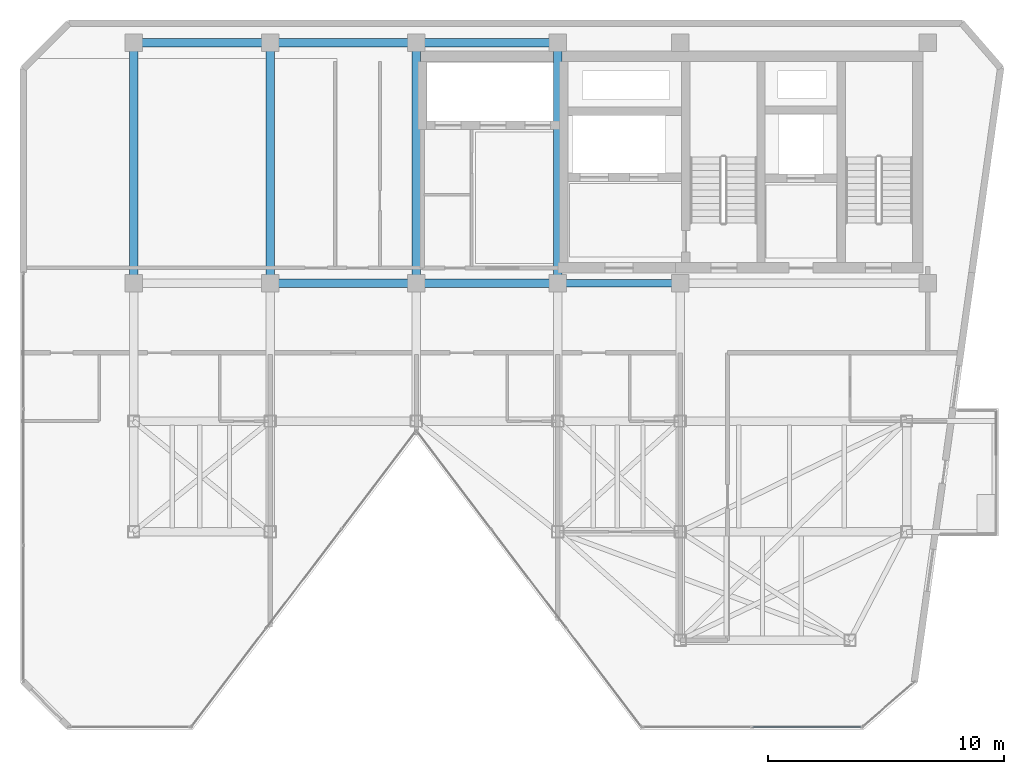
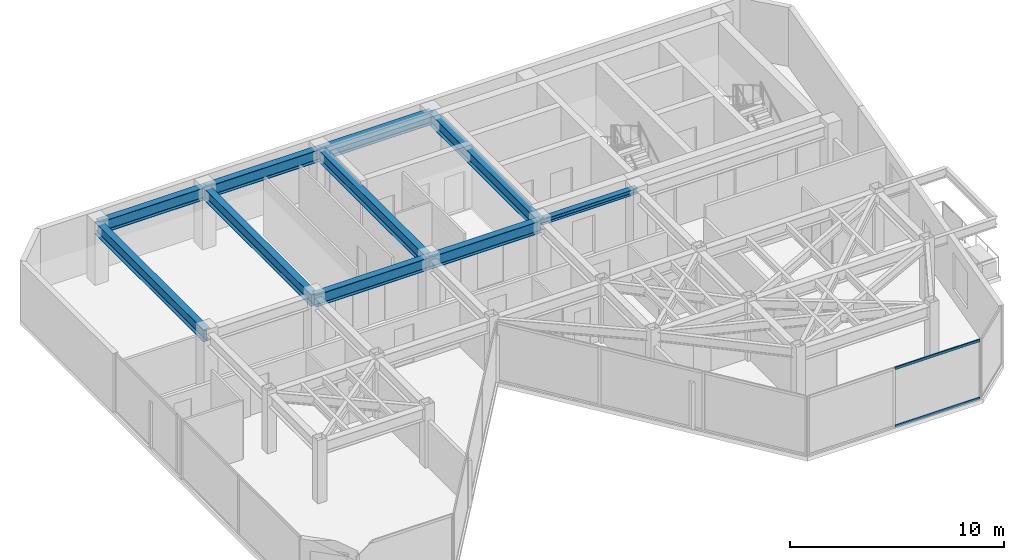
# One storey, part 12 of 19: 10 beams, 2 members, 1 element without a shape of its own.
"""IFC4 building model written with IfcOpenShell, lengths in metres."""

import ifcopenshell
import ifcopenshell.guid

model = None  # the IFC model being written
_history = None  # IfcOwnerHistory: only IFC2X3 demands one
_inside = {}  # id of a spatial element -> (the spatial element, [elements in it])
_under = {}  # id of a project, library or spatial element -> (it, [spatial elements below it])
_declared = {}  # id of a project -> (the project, [libraries it declares])
_typed = {}  # id of a type object -> (the type object, [elements of that type])
_made_of = {}  # id of a material, layer set ... -> (it, [elements and type objects made of it])


def new_model(schema):
    """Start an empty IFC model of exactly this schema.

    Asked for "IFC4X3", IfcOpenShell would pick the latest addendum, in which some entities
    have other attributes; the version numbers below select the first issue.
    IFC2X3 requires an IfcOwnerHistory on every rooted entity: one is made here for all.
    """
    global model, _history
    if schema == "IFC4X3":
        model = ifcopenshell.file(schema_version=(4, 3, 0, 0))
    else:
        model = ifcopenshell.file(schema=schema)
    _inside.clear()
    _under.clear()
    _declared.clear()
    _typed.clear()
    _made_of.clear()
    _history = None
    if model.schema == "IFC2X3":
        org = make("IfcOrganization", Name="unknown")
        user = make(
            "IfcPersonAndOrganization",
            ThePerson=make("IfcPerson", FamilyName="unknown"),
            TheOrganization=org,
        )
        app = make(
            "IfcApplication",
            ApplicationDeveloper=org,
            Version="unknown",
            ApplicationFullName="unknown",
            ApplicationIdentifier="unknown",
        )
        _history = make(
            "IfcOwnerHistory",
            OwningUser=user,
            OwningApplication=app,
            ChangeAction="ADDED",
            CreationDate=0,
        )
    return model


def make(cls, **values):
    """One entity of the class cls with the attributes given. An attribute that is None is left unset."""
    return model.create_entity(
        cls, **{name: value for name, value in values.items() if value is not None}
    )


def rooted(cls, **values):
    """An entity with a GlobalId (a new one), such as an element, a storey or a relation."""
    return make(cls, GlobalId=ifcopenshell.guid.new(), OwnerHistory=_history, **values)


def si_unit(unit_type, name, prefix=None):
    """IfcSIUnit, for example si_unit("LENGTHUNIT", "METRE", prefix="MILLI")."""
    return make("IfcSIUnit", UnitType=unit_type, Prefix=prefix, Name=name)


def assignment(units):
    """IfcUnitAssignment: the units of a project."""
    return None if units is None else make("IfcUnitAssignment", Units=units)


def point(xyz):
    """IfcCartesianPoint."""
    return None if xyz is None else make("IfcCartesianPoint", Coordinates=xyz)


def direction(xyz):
    """IfcDirection."""
    return None if xyz is None else make("IfcDirection", DirectionRatios=xyz)


def frame(location, z_axis=None, x_axis=None):
    """IfcAxis2Placement3D, a coordinate frame: its origin and axes. An axis left out is left unset."""
    return make(
        "IfcAxis2Placement3D",
        Location=point(location),
        Axis=direction(z_axis),
        RefDirection=direction(x_axis),
    )


def frame_2d(location, x_axis=None):
    """IfcAxis2Placement2D, a coordinate frame in the plane: its origin and x axis."""
    return make(
        "IfcAxis2Placement2D", Location=point(location), RefDirection=direction(x_axis)
    )


def origin():
    """The frame at (0, 0, 0) with its axes left unset."""
    return frame((0.0, 0.0, 0.0))


def origin_2d():
    """The frame at (0, 0) in the plane with its x axis left unset."""
    return frame_2d((0.0, 0.0))


def place(relative_to, where):
    """IfcLocalPlacement: puts the frame where relative to a parent placement (None: the world)."""
    return make(
        "IfcLocalPlacement", PlacementRelTo=relative_to, RelativePlacement=where
    )


def context(
    kind, dimensions, precision=None, world=None, true_north=None, identifier=None
):
    """IfcGeometricRepresentationContext, for example the 3D "Model" context."""
    return make(
        "IfcGeometricRepresentationContext",
        ContextIdentifier=identifier,
        ContextType=kind,
        CoordinateSpaceDimension=dimensions,
        Precision=precision,
        WorldCoordinateSystem=world,
        TrueNorth=true_north,
    )


def subcontext(parent, identifier, kind, view, scale=None):
    """IfcGeometricRepresentationSubContext, for example "Body" below "Model"."""
    return make(
        "IfcGeometricRepresentationSubContext",
        ContextIdentifier=identifier,
        ContextType=kind,
        ParentContext=parent,
        TargetScale=scale,
        TargetView=view,
    )


def project(units=None, contexts=None):
    """IfcProject with its units and contexts."""
    return rooted(
        "IfcProject",
        Name="project",
        RepresentationContexts=contexts,
        UnitsInContext=assignment(units),
    )


def spatial(cls, under=None, at=None, **own):
    """A site, building, storey or space (cls), placed at a placement, below another one or the project."""
    s = rooted(cls, ObjectPlacement=at, **own)
    if under is not None:
        _under.setdefault(under.id(), (under, []))[1].append(s)
    return s


def profile(cls, at=None, kind="AREA", **sizes):
    """A parametric profile (cls). Its sizes go by their IFC names, for example OverallWidth=200.0."""
    return make(cls, ProfileType=kind, Position=at, **sizes)


def hollow_rectangle(**sizes):
    """IfcRectangleHollowProfileDef."""
    return profile("IfcRectangleHollowProfileDef", **sizes)


def i_section(**sizes):
    """IfcIShapeProfileDef."""
    return profile("IfcIShapeProfileDef", **sizes)


def extrude(swept, where, along, depth):
    """IfcExtrudedAreaSolid: the profile swept, set in the frame where, extruded along a direction by depth."""
    return make(
        "IfcExtrudedAreaSolid",
        SweptArea=swept,
        Position=where,
        ExtrudedDirection=direction(along),
        Depth=depth,
    )


def shape(context_of_items, identifier, shape_type, items):
    """IfcShapeRepresentation: the items that make up one representation, for example the "Body"."""
    return make(
        "IfcShapeRepresentation",
        ContextOfItems=context_of_items,
        RepresentationIdentifier=identifier,
        RepresentationType=shape_type,
        Items=items,
    )


def material(Name=None, Category=None):
    """IfcMaterial."""
    return make("IfcMaterial", Name=Name, Category=Category)


def layer(
    of_material, thickness, ventilated=None, Name=None, Category=None, Priority=None
):
    """IfcMaterialLayer: one layer of a wall or slab, of a material (None: an air gap)."""
    return make(
        "IfcMaterialLayer",
        Material=of_material,
        LayerThickness=thickness,
        IsVentilated=ventilated,
        Name=Name,
        Category=Category,
        Priority=Priority,
    )


def layer_set(layers, Name=None):
    """IfcMaterialLayerSet."""
    return make("IfcMaterialLayerSet", MaterialLayers=layers, LayerSetName=Name)


def material_profile(
    of_material, cross_section, Name=None, Category=None, Priority=None
):
    """IfcMaterialProfile: a cross section and its material."""
    return make(
        "IfcMaterialProfile",
        Name=Name,
        Material=of_material,
        Profile=cross_section,
        Priority=Priority,
        Category=Category,
    )


def profile_set(profiles, Name=None, composite=None):
    """IfcMaterialProfileSet."""
    return make(
        "IfcMaterialProfileSet",
        Name=Name,
        MaterialProfiles=profiles,
        CompositeProfile=composite,
    )


def made_of(thing, what):
    """Note that an element or type object is made of a material, layer set ...; save() writes the relation."""
    if what is not None:
        _made_of.setdefault(what.id(), (what, []))[1].append(thing)
    return thing


def type_object(cls, material=None, **own):
    """A type object (cls), such as IfcWallType, which elements share."""
    return made_of(rooted(cls, **own), material)


def element(
    cls,
    number,
    at=None,
    inside=None,
    cuts=None,
    type_object=None,
    material=None,
    context=None,
    identifier="Body",
    shape_type=None,
    held_by="IfcProductDefinitionShape",
    body=None,
    shapes=None,
    **own,
):
    """One element of the class cls, such as IfcWall. Its Tag is "e" and its number.

    at: its placement. inside: the storey or other place that contains it. cuts: it is an
    opening in that element (IfcRelVoidsElement). A single representation is given by context,
    identifier, shape_type and body (its items); several are given by shapes. held_by: the class
    of the entity that holds the representations. save() writes the other relations.
    """
    e = rooted(cls, Tag="e%d" % number, ObjectPlacement=at, **own)
    if body is not None:
        shapes = [shape(context, identifier, shape_type, body)]
    if shapes is not None:
        e.Representation = make(held_by, Representations=shapes)
    if inside is not None:
        _inside.setdefault(inside.id(), (inside, []))[1].append(e)
    if cuts is not None:
        rooted(
            "IfcRelVoidsElement", RelatingBuildingElement=cuts, RelatedOpeningElement=e
        )
    if type_object is not None:
        _typed.setdefault(type_object.id(), (type_object, []))[1].append(e)
    return made_of(e, material)


def aggregate(whole, parts):
    """IfcRelAggregates: a whole, such as a stair, and the parts it consists of."""
    return rooted("IfcRelAggregates", RelatingObject=whole, RelatedObjects=parts)


def save(model, path):
    """Write the relations noted so far, then the file.

    IfcRelAggregates (storeys below a building ...), IfcRelContainedInSpatialStructure (elements
    in a storey), IfcRelDefinesByType, IfcRelAssociatesMaterial and IfcRelDeclares: one each for
    every whole, place, type object, material and project.
    """
    for whole, parts in _under.values():
        aggregate(whole, parts)
    for where, things in _inside.values():
        rooted(
            "IfcRelContainedInSpatialStructure",
            RelatedElements=things,
            RelatingStructure=where,
        )
    for kind, things in _typed.values():
        rooted("IfcRelDefinesByType", RelatedObjects=things, RelatingType=kind)
    for what, things in _made_of.values():
        rooted("IfcRelAssociatesMaterial", RelatedObjects=things, RelatingMaterial=what)
    for by, libraries in _declared.values():
        rooted("IfcRelDeclares", RelatingContext=by, RelatedDefinitions=libraries)
    model.write(path)


model = new_model("IFC4")

# Units and contexts
model_context = context("Model", 3, precision=1e-05, world=origin(), true_north=direction((0.0, 1.0)))
body_context = subcontext(model_context, "Body", "Model", "MODEL_VIEW")
ifc_project = project(units=[si_unit("LENGTHUNIT", "METRE"), si_unit("AREAUNIT", "SQUARE_METRE"), si_unit("VOLUMEUNIT", "CUBIC_METRE"), si_unit("PLANEANGLEUNIT", "RADIAN"), si_unit("MASSUNIT", "GRAM", prefix="KILO")], contexts=[model_context])

# Site, building, storey
site_placement = place(None, origin())
site = spatial("IfcSite", under=ifc_project, at=site_placement, CompositionType="ELEMENT")
building_placement = place(site_placement, origin())
building = spatial("IfcBuilding", under=site, at=building_placement, Name="Kravanh Interchange Tower", CompositionType="ELEMENT")
storey_placement = place(building_placement, frame((0.0, 0.0, 270.60009765625)))
storey = spatial("IfcBuildingStorey", under=building, at=storey_placement, Name="L66", CompositionType="ELEMENT", Elevation=270.60009765625)

# Curtain wall, members
ifc_material_1 = material(Name="Anodised Bronze Aluminium", Category="aluminium")
ifc_layer = layer(ifc_material_1, 0.179931640625)
ifc_layer_set = layer_set([ifc_layer], Name="Unitised Curtain Wall System CW-HTL Luxury Hotel")
curtain_wall_type = type_object("IfcCurtainWallType", Name="Unitised Curtain Wall System CW-HTL Luxury Hotel", PredefinedType="NOTDEFINED", material=ifc_layer_set)
curtain_wall_placement = place(storey_placement, origin())
curtain_wall = element("IfcCurtainWall", 1, at=curtain_wall_placement, inside=storey, type_object=curtain_wall_type, Name="L66 Unitised Curtain Wall CW-L66-03", PredefinedType="NOTDEFINED")
ifc_material_2 = material(Name="Anodised Bronze Aluminium", Category="aluminium")
ifc_material_profile_1 = material_profile(ifc_material_2, hollow_rectangle(XDim=0.06005859375, YDim=0.139892578125, WallThickness=0.00390625, at=origin_2d()), Name="ALU60X140X4")
ifc_profile_set_1 = profile_set([ifc_material_profile_1], Name="Anodised Bronze Aluminium")
member_type = type_object("IfcMemberType", Name="Curtain Wall Transom ALU60X140X4 Bronze", PredefinedType="USERDEFINED", material=ifc_profile_set_1)
member_1_placement = place(storey_placement, frame((63.664794921875, 18.52001953125, 0.02978515625), z_axis=(-1.0, 0.0, 0.0), x_axis=(0.0, -1.0, 0.0)))
member_1 = element("IfcMember", 2, at=member_1_placement, type_object=member_type, Name="CW-HTL transom 1.1", ObjectType="TRANSOM", PredefinedType="USERDEFINED", context=body_context, shape_type="SweptSolid", body=[
    extrude(hollow_rectangle(XDim=0.06005859375, YDim=0.139892578125, WallThickness=0.00390625, at=origin_2d()), origin(), (0.0, 0.0, 1.0), 4.592529296875),
])
member_2_placement = place(storey_placement, frame((63.664794921875, 18.52001953125, 3.329833984375), z_axis=(-1.0, 0.0, 0.0), x_axis=(0.0, -1.0, 0.0)))
member_2 = element("IfcMember", 3, at=member_2_placement, type_object=member_type, Name="CW-HTL transom 1.2", ObjectType="TRANSOM", PredefinedType="USERDEFINED", context=body_context, shape_type="SweptSolid", body=[
    extrude(hollow_rectangle(XDim=0.06005859375, YDim=0.139892578125, WallThickness=0.00390625, at=origin_2d()), origin(), (0.0, 0.0, 1.0), 4.592529296875),
])
aggregate(curtain_wall, [member_1, member_2])

# Beams
ifc_material_3 = material(Name="Structural Steel S355", Category="steel")
ifc_material_profile_2 = material_profile(ifc_material_3, i_section(OverallWidth=0.35498046875, OverallDepth=0.696044921875, WebThickness=0.015380859375, FlangeThickness=0.02490234375, FilletRadius=0.02392578125, at=origin_2d()), Name="W27X146")
ifc_profile_set_2 = profile_set([ifc_material_profile_2], Name="Structural Steel S355")
beam_type_1 = type_object("IfcBeamType", Name="Floor Beam W27X146 Structural Steel S355", PredefinedType="BEAM", material=ifc_profile_set_2)
beam_1_placement = place(storey_placement, frame((50.800048828125, 47.550048828125, 3.011962890625), z_axis=(-1.0, 0.0, 0.0), x_axis=(0.0, -1.0, 0.0)))
element("IfcBeam", 4, at=beam_1_placement, inside=storey, type_object=beam_type_1, Name="L66 Primary Floor Girder 40", PredefinedType="BEAM", context=body_context, shape_type="SweptSolid", body=[
    extrude(i_section(OverallWidth=0.35498046875, OverallDepth=0.696044921875, WebThickness=0.015380859375, FlangeThickness=0.02490234375, FilletRadius=0.02392578125, at=origin_2d()), origin(), (0.0, 0.0, 1.0), 6.0),
])
beam_2_placement = place(storey_placement, frame((50.800048828125, 47.550048828125, 3.011962890625), z_axis=(0.0, -1.0, 0.0), x_axis=(1.0, 0.0, 0.0)))
element("IfcBeam", 5, at=beam_2_placement, inside=storey, type_object=beam_type_1, Name="L66 Primary Floor Girder 41", PredefinedType="BEAM", context=body_context, shape_type="SweptSolid", body=[
    extrude(i_section(OverallWidth=0.35498046875, OverallDepth=0.696044921875, WebThickness=0.015380859375, FlangeThickness=0.02490234375, FilletRadius=0.02392578125, at=origin_2d()), origin(), (0.0, 0.0, 1.0), 10.199951171875),
])
beam_3_placement = place(storey_placement, frame((50.800048828125, 37.35009765625, 3.011962890625), z_axis=(-1.0, 0.0, 0.0), x_axis=(0.0, -1.0, 0.0)))
element("IfcBeam", 6, at=beam_3_placement, inside=storey, type_object=beam_type_1, Name="L66 Primary Floor Girder 42", PredefinedType="BEAM", context=body_context, shape_type="SweptSolid", body=[
    extrude(i_section(OverallWidth=0.35498046875, OverallDepth=0.696044921875, WebThickness=0.015380859375, FlangeThickness=0.02490234375, FilletRadius=0.02392578125, at=origin_2d()), origin(), (0.0, 0.0, 1.0), 6.0),
])
beam_4_placement = place(storey_placement, frame((44.800048828125, 37.35009765625, 3.011962890625), z_axis=(-1.0, 0.0, 0.0), x_axis=(0.0, -1.0, 0.0)))
element("IfcBeam", 7, at=beam_4_placement, inside=storey, type_object=beam_type_1, Name="L66 Primary Floor Girder 43", PredefinedType="BEAM", context=body_context, shape_type="SweptSolid", body=[
    extrude(i_section(OverallWidth=0.35498046875, OverallDepth=0.696044921875, WebThickness=0.015380859375, FlangeThickness=0.02490234375, FilletRadius=0.02392578125, at=origin_2d()), origin(), (0.0, 0.0, 1.0), 6.199951171875),
])
beam_5_placement = place(storey_placement, frame((44.800048828125, 37.35009765625, 3.011962890625), z_axis=(0.0, 1.0, 0.0), x_axis=(-1.0, 0.0, 0.0)))
element("IfcBeam", 8, at=beam_5_placement, inside=storey, type_object=beam_type_1, Name="L66 Primary Floor Girder 44", PredefinedType="BEAM", context=body_context, shape_type="SweptSolid", body=[
    extrude(i_section(OverallWidth=0.35498046875, OverallDepth=0.696044921875, WebThickness=0.015380859375, FlangeThickness=0.02490234375, FilletRadius=0.02392578125, at=origin_2d()), origin(), (0.0, 0.0, 1.0), 10.199951171875),
])
beam_6_placement = place(storey_placement, frame((44.800048828125, 47.550048828125, 3.011962890625), z_axis=(-1.0, 0.0, 0.0), x_axis=(0.0, -1.0, 0.0)))
element("IfcBeam", 9, at=beam_6_placement, inside=storey, type_object=beam_type_1, Name="L66 Primary Floor Girder 45", PredefinedType="BEAM", context=body_context, shape_type="SweptSolid", body=[
    extrude(i_section(OverallWidth=0.35498046875, OverallDepth=0.696044921875, WebThickness=0.015380859375, FlangeThickness=0.02490234375, FilletRadius=0.02392578125, at=origin_2d()), origin(), (0.0, 0.0, 1.0), 6.199951171875),
])
beam_7_placement = place(storey_placement, frame((38.60009765625, 37.35009765625, 3.011962890625), z_axis=(0.0, 1.0, 0.0), x_axis=(-1.0, 0.0, 0.0)))
element("IfcBeam", 10, at=beam_7_placement, inside=storey, type_object=beam_type_1, Name="L66 Primary Floor Girder 47", PredefinedType="BEAM", context=body_context, shape_type="SweptSolid", body=[
    extrude(i_section(OverallWidth=0.35498046875, OverallDepth=0.696044921875, WebThickness=0.015380859375, FlangeThickness=0.02490234375, FilletRadius=0.02392578125, at=origin_2d()), origin(), (0.0, 0.0, 1.0), 10.199951171875),
])
beam_8_placement = place(storey_placement, frame((38.60009765625, 47.550048828125, 3.011962890625), z_axis=(-1.0, 0.0, 0.0), x_axis=(0.0, -1.0, 0.0)))
element("IfcBeam", 11, at=beam_8_placement, inside=storey, type_object=beam_type_1, Name="L66 Primary Floor Girder 48", PredefinedType="BEAM", context=body_context, shape_type="SweptSolid", body=[
    extrude(i_section(OverallWidth=0.35498046875, OverallDepth=0.696044921875, WebThickness=0.015380859375, FlangeThickness=0.02490234375, FilletRadius=0.02392578125, at=origin_2d()), origin(), (0.0, 0.0, 1.0), 5.800048828125),
])
beam_9_placement = place(storey_placement, frame((32.800048828125, 37.35009765625, 3.011962890625), z_axis=(0.0, 1.0, 0.0), x_axis=(-1.0, 0.0, 0.0)))
element("IfcBeam", 12, at=beam_9_placement, inside=storey, type_object=beam_type_1, Name="L66 Primary Floor Girder 49", PredefinedType="BEAM", context=body_context, shape_type="SweptSolid", body=[
    extrude(i_section(OverallWidth=0.35498046875, OverallDepth=0.696044921875, WebThickness=0.015380859375, FlangeThickness=0.02490234375, FilletRadius=0.02392578125, at=origin_2d()), origin(), (0.0, 0.0, 1.0), 10.199951171875),
])
ifc_material_4 = material(Name="Structural Steel S355", Category="steel")
ifc_material_profile_3 = material_profile(ifc_material_4, i_section(OverallWidth=0.304931640625, OverallDepth=0.306884765625, WebThickness=0.010009765625, FlangeThickness=0.015380859375, FilletRadius=0.014892578125, at=origin_2d()), Name="W12X65")
ifc_profile_set_3 = profile_set([ifc_material_profile_3], Name="Structural Steel S355")
beam_type_2 = type_object("IfcBeamType", Name="Floor Lintel W12X65 Structural Steel S355", PredefinedType="LINTEL", material=ifc_profile_set_3)
beam_10_placement = place(storey_placement, frame((50.800048828125, 37.35009765625, 3.206298828125), z_axis=(1.0, 0.0, 0.0), x_axis=(0.0, 1.0, 0.0)))
element("IfcBeam", 13, at=beam_10_placement, inside=storey, type_object=beam_type_2, Name="L66 Core Coupling Lintel 1", PredefinedType="LINTEL", context=body_context, shape_type="SweptSolid", body=[
    extrude(i_section(OverallWidth=0.304931640625, OverallDepth=0.306884765625, WebThickness=0.010009765625, FlangeThickness=0.015380859375, FilletRadius=0.014892578125, at=origin_2d()), origin(), (0.0, 0.0, 1.0), 5.199951171875),
])

save(model, "model.ifc")
